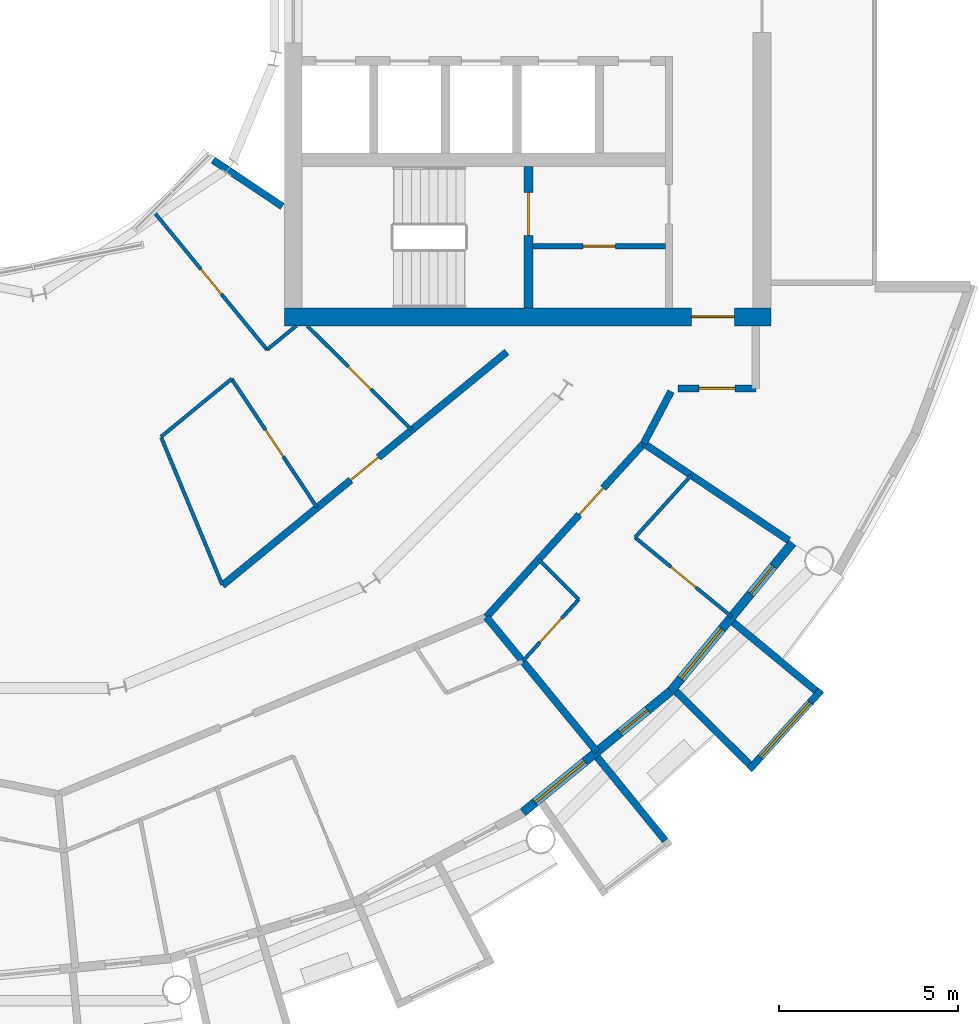
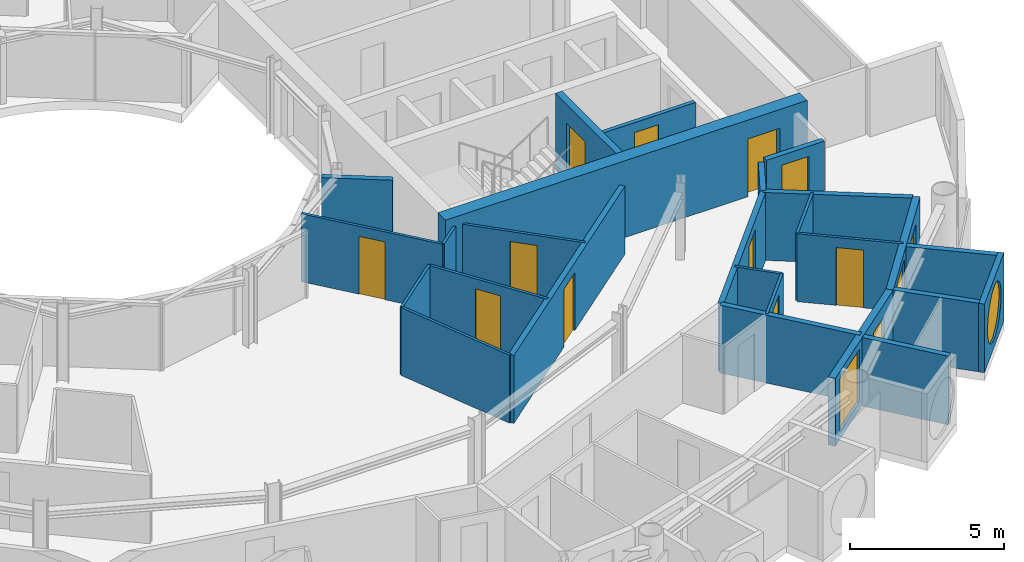
# One storey, part 17 of 27: 26 walls, 13 doors, 3 windows, 16 openings.
"""IFC4 building model written with IfcOpenShell, lengths in metres."""

from ifc_helpers import new_model, si_unit, direction, frame, frame_2d, origin, place, context, subcontext, project, spatial, rectangle, circle, extrude, material, layer, layer_set, type_object, element, fill, save


model = new_model("IFC4")

# Units and contexts
model_context = context("Model", 3, precision=1e-05, world=origin(), true_north=direction((0.0, 1.0)))
body_context = subcontext(model_context, "Body", "Model", "MODEL_VIEW")
ifc_project = project(units=[si_unit("LENGTHUNIT", "METRE"), si_unit("AREAUNIT", "SQUARE_METRE"), si_unit("VOLUMEUNIT", "CUBIC_METRE"), si_unit("PLANEANGLEUNIT", "RADIAN"), si_unit("MASSUNIT", "GRAM", prefix="KILO")], contexts=[model_context])

# Site, building, storey
site_placement = place(None, origin())
site = spatial("IfcSite", under=ifc_project, at=site_placement, CompositionType="ELEMENT")
building_placement = place(site_placement, origin())
building = spatial("IfcBuilding", under=site, at=building_placement, Name="Maasbend Ring Residences", CompositionType="ELEMENT")
storey_placement = place(building_placement, frame((0.0, 0.0, 148.25)))
storey = spatial("IfcBuildingStorey", under=building, at=storey_placement, Name="L42", CompositionType="ELEMENT", Elevation=148.25)

# Wall, opening, door
ifc_material_1 = material(Name="Concrete C60/75", Category="concrete")
ifc_layer_1 = layer(ifc_material_1, 0.25)
ifc_layer_set_1 = layer_set([ifc_layer_1], Name="Concrete C60/75")
wall_type_1 = type_object("IfcWallType", Name="CORE WALL 250 C60/75", PredefinedType="SHEAR", material=ifc_layer_set_1)
wall_1_placement = place(storey_placement, frame((15.324951171875, -8.60009765625, 0.0), z_axis=(0.0, 0.0, 1.0), x_axis=(0.0, 1.0, 0.0)))
wall_1 = element("IfcWall", 1, at=wall_1_placement, inside=storey, type_object=wall_type_1, Name="L42 core E wall STES", PredefinedType="SHEAR", context=body_context, shape_type="SweptSolid", body=[
    extrude(rectangle(XDim=3.9501953125, YDim=0.25, at=frame_2d((1.97509765625, 0.0))), origin(), (0.0, 0.0, 1.0), 3.050048828125),
])
opening_1_placement = place(wall_1_placement, frame((2.02490234375, 0.0, 0.0)))
opening_1 = element("IfcOpeningElement", 2, at=opening_1_placement, cuts=wall_1, Name="Opening D-E4211", PredefinedType="OPENING", context=body_context, shape_type="SweptSolid", body=[
    extrude(rectangle(XDim=1.199951171875, YDim=2.300048828125, at=frame_2d((0.60009765625, 1.14990234375))), frame((0.0, 0.135009765625, 0.0), z_axis=(0.0, -1.0, 0.0), x_axis=(1.0, 0.0, 0.0)), (0.0, 0.0, 1.0), 0.27001953125),
])
ifc_material_2 = material(Name="Steel, powder coated", Category="steel")
door_type_1 = type_object("IfcDoorType", Name="STAIR DOOR 1200 X 2300 FD60", OperationType="NOTDEFINED", PredefinedType="DOOR", material=ifc_material_2)
door_1_placement = place(opening_1_placement, origin())
door_1 = element("IfcDoor", 3, at=door_1_placement, inside=storey, type_object=door_type_1, Name="Stair door ST-E L42", OperationType="SINGLE_SWING_LEFT", OverallHeight=2.300048828125, OverallWidth=1.199951171875, PredefinedType="DOOR", context=body_context, shape_type="SweptSolid", body=[
    extrude(rectangle(XDim=1.199951171875, YDim=2.300048828125, at=frame_2d((0.60009765625, 1.14990234375))), frame((0.0, 0.02490234375, 0.0), z_axis=(0.0, -1.0, 0.0), x_axis=(1.0, 0.0, 0.0)), (0.0, 0.0, 1.0), 0.050048828125),
])
fill(opening_1, door_1)

ifc_material_3 = material(Name="Concrete C60/75", Category="concrete")
ifc_layer_2 = layer(ifc_material_3, 0.5)
ifc_layer_set_2 = layer_set([ifc_layer_2], Name="Concrete C60/75")
wall_type_2 = type_object("IfcWallType", Name="CORE WALL 500 C60/75", PredefinedType="SHEAR", material=ifc_layer_set_2)
wall_2_placement = place(storey_placement, frame((8.5, -8.85009765625, 0.0), z_axis=(0.0, 0.0, 1.0), x_axis=(1.0, 0.0, 0.0)))
wall_2 = element("IfcWall", 4, at=wall_2_placement, inside=storey, type_object=wall_type_2, Name="L42 core E wall PS", PredefinedType="SHEAR", context=body_context, shape_type="SweptSolid", body=[
    extrude(rectangle(XDim=13.60009765625, YDim=0.5, at=frame_2d((6.800048828125, 0.0))), origin(), (0.0, 0.0, 1.0), 3.050048828125),
])
opening_2_placement = place(wall_2_placement, frame((11.375, 0.0, 0.0)))
opening_2 = element("IfcOpeningElement", 5, at=opening_2_placement, cuts=wall_2, Name="Opening D-E4215", PredefinedType="OPENING", context=body_context, shape_type="SweptSolid", body=[
    extrude(rectangle(XDim=1.199951171875, YDim=2.300048828125, at=frame_2d((0.60009765625, 1.14990234375))), frame((0.0, 0.260009765625, 0.0), z_axis=(0.0, -1.0, 0.0), x_axis=(1.0, 0.0, 0.0)), (0.0, 0.0, 1.0), 0.52001953125),
])
ifc_material_4 = material(Name="Steel, powder coated", Category="steel")
door_type_2 = type_object("IfcDoorType", Name="CORRIDOR DOOR 1200 X 2300 FD30S", OperationType="NOTDEFINED", PredefinedType="DOOR", material=ifc_material_4)
door_2_placement = place(opening_2_placement, origin())
door_2 = element("IfcDoor", 6, at=door_2_placement, inside=storey, type_object=door_type_2, Name="Corridor door L42", OperationType="SINGLE_SWING_LEFT", OverallHeight=2.300048828125, OverallWidth=1.199951171875, PredefinedType="DOOR", context=body_context, shape_type="SweptSolid", body=[
    extrude(rectangle(XDim=1.199951171875, YDim=2.300048828125, at=frame_2d((0.60009765625, 1.14990234375))), frame((0.0, 0.02490234375, 0.0), z_axis=(0.0, -1.0, 0.0), x_axis=(1.0, 0.0, 0.0)), (0.0, 0.0, 1.0), 0.050048828125),
])
fill(opening_2, door_2)

# Wall
ifc_material_5 = material(Name="Concrete C30/37", Category="concrete")
ifc_layer_3 = layer(ifc_material_5, 0.199951171875)
ifc_layer_set_3 = layer_set([ifc_layer_3], Name="Concrete C30/37")
wall_type_3 = type_object("IfcWallType", Name="CORRIDOR WALL 200 CONCRETE", PredefinedType="PARTITIONING", material=ifc_layer_set_3)
wall_3_placement = place(storey_placement, frame((18.5419921875, -12.388916015625, 0.0), z_axis=(0.0, 0.0, 1.0), x_axis=(0.465605550524, 0.884992356646, 0.0)))
element("IfcWall", 7, at=wall_3_placement, inside=storey, type_object=wall_type_3, Name="U-L42-w010", PredefinedType="PARTITIONING", context=body_context, shape_type="SweptSolid", body=[
    extrude(rectangle(XDim=1.642822265625, YDim=0.199951171875, at=frame_2d((0.8212890625, 0.0))), origin(), (0.0, 0.0, 1.0), 2.699951171875),
])

# Wall, opening, door
wall_4_placement = place(storey_placement, frame((14.14697265625, -17.238037109375, 0.0), z_axis=(0.0, 0.0, 1.0), x_axis=(0.671561669125, 0.740948665268, 0.0)))
wall_4 = element("IfcWall", 8, at=wall_4_placement, inside=storey, type_object=wall_type_3, Name="U-L42-w011", PredefinedType="PARTITIONING", context=body_context, shape_type="SweptSolid", body=[
    extrude(rectangle(XDim=6.54443359375, YDim=0.199951171875, at=frame_2d((3.272216796875, 0.0))), origin(), (0.0, 0.0, 1.0), 2.699951171875),
])
opening_3_placement = place(wall_4_placement, frame((3.862060546875, 0.0, 0.0)))
opening_3 = element("IfcOpeningElement", 9, at=opening_3_placement, cuts=wall_4, Name="Opening D-4248", PredefinedType="OPENING", context=body_context, shape_type="SweptSolid", body=[
    extrude(rectangle(XDim=1.0, YDim=2.300048828125, at=frame_2d((0.5, 1.14990234375))), frame((0.0, 0.10986328125, 0.0), z_axis=(0.0, -1.0, 0.0), x_axis=(1.0, 0.0, 0.0)), (0.0, 0.0, 1.0), 0.219970703125),
])
ifc_material_6 = material(Name="Timber, fire-rated, painted", Category="wood")
door_type_3 = type_object("IfcDoorType", Name="FLAT ENTRANCE DOOR 1000 X 2300 FIRE-RATED", OperationType="NOTDEFINED", PredefinedType="DOOR", material=ifc_material_6)
door_3_placement = place(opening_3_placement, origin())
door_3 = element("IfcDoor", 10, at=door_3_placement, inside=storey, type_object=door_type_3, Name="D-4248", OperationType="SINGLE_SWING_RIGHT", OverallHeight=2.300048828125, OverallWidth=1.0, PredefinedType="DOOR", context=body_context, shape_type="SweptSolid", body=[
    extrude(rectangle(XDim=1.0, YDim=2.300048828125, at=frame_2d((0.5, 1.14990234375))), frame((0.0, 0.02490234375, 0.0), z_axis=(0.0, -1.0, 0.0), x_axis=(1.0, 0.0, 0.0)), (0.0, 0.0, 1.0), 0.050048828125),
])
fill(opening_3, door_3)

wall_5_placement = place(storey_placement, frame((6.77294921875, -16.35302734375, 0.0), z_axis=(0.0, 0.0, 1.0), x_axis=(0.773034536097, 0.634363938131, 0.0)))
wall_5 = element("IfcWall", 11, at=wall_5_placement, inside=storey, type_object=wall_type_3, Name="U-L42-w018", PredefinedType="PARTITIONING", context=body_context, shape_type="SweptSolid", body=[
    extrude(rectangle(XDim=10.276611328125, YDim=0.199951171875, at=frame_2d((5.13818359375, 0.0))), origin(), (0.0, 0.0, 1.0), 2.699951171875),
])
opening_4_placement = place(wall_5_placement, frame((4.637939453125, 0.0, 0.0)))
opening_4 = element("IfcOpeningElement", 12, at=opening_4_placement, cuts=wall_5, Name="Opening D-4255", PredefinedType="OPENING", context=body_context, shape_type="SweptSolid", body=[
    extrude(rectangle(XDim=1.0, YDim=2.300048828125, at=frame_2d((0.5, 1.14990234375))), frame((0.0, 0.10986328125, 0.0), z_axis=(0.0, -1.0, 0.0), x_axis=(1.0, 0.0, 0.0)), (0.0, 0.0, 1.0), 0.219970703125),
])
door_4_placement = place(opening_4_placement, origin())
door_4 = element("IfcDoor", 13, at=door_4_placement, inside=storey, type_object=door_type_3, Name="D-4255", OperationType="SINGLE_SWING_RIGHT", OverallHeight=2.300048828125, OverallWidth=1.0, PredefinedType="DOOR", context=body_context, shape_type="SweptSolid", body=[
    extrude(rectangle(XDim=1.0, YDim=2.300048828125, at=frame_2d((0.5, 1.14990234375))), frame((0.0, 0.02490234375, 0.0), z_axis=(0.0, -1.0, 0.0), x_axis=(1.0, 0.0, 0.0)), (0.0, 0.0, 1.0), 0.050048828125),
])
fill(opening_4, door_4)

wall_6_placement = place(storey_placement, frame((19.50390625, -10.85009765625, 0.0), z_axis=(0.0, 0.0, 1.0), x_axis=(1.0, 0.0, 0.0)))
wall_6 = element("IfcWall", 14, at=wall_6_placement, inside=storey, type_object=wall_type_3, Name="U-L42-w024", PredefinedType="PARTITIONING", context=body_context, shape_type="SweptSolid", body=[
    extrude(rectangle(XDim=2.171142578125, YDim=0.199951171875, at=frame_2d((1.08544921875, 0.0))), origin(), (0.0, 0.0, 1.0), 2.699951171875),
])
opening_5_placement = place(wall_6_placement, frame((0.5849609375, 0.0, 0.0)))
opening_5 = element("IfcOpeningElement", 15, at=opening_5_placement, cuts=wall_6, Name="Opening D-4261", PredefinedType="OPENING", context=body_context, shape_type="SweptSolid", body=[
    extrude(rectangle(XDim=1.0, YDim=2.300048828125, at=frame_2d((0.5, 1.14990234375))), frame((0.0, 0.10986328125, 0.0), z_axis=(0.0, -1.0, 0.0), x_axis=(1.0, 0.0, 0.0)), (0.0, 0.0, 1.0), 0.219970703125),
])
ifc_material_7 = material(Name="Timber, painted", Category="wood")
door_type_4 = type_object("IfcDoorType", Name="ROOM DOOR 1000 X 2300", OperationType="NOTDEFINED", PredefinedType="DOOR", material=ifc_material_7)
door_5_placement = place(opening_5_placement, origin())
door_5 = element("IfcDoor", 16, at=door_5_placement, inside=storey, type_object=door_type_4, Name="D-4261", OperationType="SINGLE_SWING_LEFT", OverallHeight=2.300048828125, OverallWidth=1.0, PredefinedType="DOOR", context=body_context, shape_type="SweptSolid", body=[
    extrude(rectangle(XDim=1.0, YDim=2.300048828125, at=frame_2d((0.5, 1.14990234375))), frame((0.0, 0.02490234375, 0.0), z_axis=(0.0, -1.0, 0.0), x_axis=(1.0, 0.0, 0.0)), (0.0, 0.0, 1.0), 0.050048828125),
])
fill(opening_5, door_5)

# Wall
ifc_material_8 = material(Name="Pale anodised aluminium panel", Category="aluminium")
ifc_layer_4 = layer(ifc_material_8, 0.199951171875)
ifc_layer_set_4 = layer_set([ifc_layer_4], Name="EW-BOX")
wall_type_4 = type_object("IfcWallType", Name="EW-BOX", PredefinedType="SOLIDWALL", material=ifc_layer_set_4)
wall_7_placement = place(storey_placement, frame((17.24609375, -21.155029296875, -0.030029296875), z_axis=(0.0, 0.0, 1.0), x_axis=(0.631741648902, -0.775179004516, 0.0)))
element("IfcWall", 17, at=wall_7_placement, inside=storey, type_object=wall_type_4, Name="Box side wall S17 right", PredefinedType="SOLIDWALL", context=body_context, shape_type="SweptSolid", body=[
    extrude(rectangle(XDim=3.005859375, YDim=0.199951171875, at=frame_2d((1.5029296875, 0.0))), origin(), (0.0, 0.0, 1.0), 2.72998046875),
])

# Wall, opening, window
wall_8_placement = place(storey_placement, frame((21.492919921875, -21.5, -0.030029296875), z_axis=(0.0, 0.0, 1.0), x_axis=(0.671506829416, 0.740998365753, 0.0)))
wall_8 = element("IfcWall", 18, at=wall_8_placement, inside=storey, type_object=wall_type_4, Name="Box front S19", PredefinedType="SOLIDWALL", context=body_context, shape_type="SweptSolid", body=[
    extrude(rectangle(XDim=2.9931640625, YDim=0.199951171875, at=frame_2d((1.49658203125, 0.0))), origin(), (0.0, 0.0, 1.0), 2.72998046875),
])
opening_6_placement = place(wall_8_placement, frame((0.45654296875, 0.0, 0.330078125)))
opening_6 = element("IfcOpeningElement", 19, at=opening_6_placement, cuts=wall_8, Name="Opening W-RD", PredefinedType="OPENING", context=body_context, shape_type="SweptSolid", body=[
    extrude(circle(Radius=1.0400390625, at=frame_2d((1.0400390625, 1.0400390625))), frame((0.0, 0.10986328125, 0.0), z_axis=(0.0, -1.0, 0.0), x_axis=(1.0, 0.0, 0.0)), (0.0, 0.0, 1.0), 0.219970703125),
])
ifc_material_9 = material(Name="Aluminium and clear glass", Category="aluminium")
window_type_1 = type_object("IfcWindowType", Name="W-RD", PartitioningType="SINGLE_PANEL", PredefinedType="WINDOW", material=ifc_material_9)
window_1_placement = place(opening_6_placement, origin())
window_1 = element("IfcWindow", 20, at=window_1_placement, inside=storey, type_object=window_type_1, Name="Round window S19", OverallHeight=2.080078125, OverallWidth=2.080078125, PartitioningType="SINGLE_PANEL", PredefinedType="WINDOW", context=body_context, shape_type="SweptSolid", body=[
    extrude(circle(Radius=1.0400390625, at=frame_2d((1.0400390625, 1.0400390625))), frame((0.0, 0.030029296875, 0.0), z_axis=(0.0, -1.0, 0.0), x_axis=(1.0, 0.0, 0.0)), (0.0, 0.0, 1.0), 0.06005859375),
])
fill(opening_6, window_1)

# Walls
wall_9_placement = place(storey_placement, frame((19.449951171875, -19.322998046875, -0.030029296875), z_axis=(0.0, 0.0, 1.0), x_axis=(0.709727076896, -0.704476739375, 0.0)))
element("IfcWall", 21, at=wall_9_placement, inside=storey, type_object=wall_type_4, Name="Box side wall S19 left", PredefinedType="SOLIDWALL", context=body_context, shape_type="SweptSolid", body=[
    extrude(rectangle(XDim=2.883056640625, YDim=0.199951171875, at=frame_2d((1.44140625, 0.0))), origin(), (0.0, 0.0, 1.0), 2.72998046875),
])
wall_10_placement = place(storey_placement, frame((21.041015625, -17.384033203125, -0.030029296875), z_axis=(0.0, 0.0, 1.0), x_axis=(0.770784861449, -0.63709551667, 0.0)))
element("IfcWall", 22, at=wall_10_placement, inside=storey, type_object=wall_type_4, Name="Box side wall S19 right", PredefinedType="SOLIDWALL", context=body_context, shape_type="SweptSolid", body=[
    extrude(rectangle(XDim=3.005859375, YDim=0.199951171875, at=frame_2d((1.5029296875, 0.0))), origin(), (0.0, 0.0, 1.0), 2.72998046875),
])

# Wall, openings, door, window
ifc_material_10 = material(Name="Aluminium clad insulated panel", Category="aluminium")
ifc_layer_5 = layer(ifc_material_10, 0.25)
ifc_layer_set_5 = layer_set([ifc_layer_5], Name="EW-GL")
wall_type_5 = type_object("IfcWallType", Name="EW-GL", PredefinedType="SOLIDWALL", material=ifc_layer_set_5)
wall_11_placement = place(storey_placement, frame((15.1669921875, -22.698974609375, 0.0), z_axis=(0.0, 0.0, 1.0), x_axis=(0.773019449054, 0.634382322723, 0.0)))
wall_11 = element("IfcWall", 23, at=wall_11_placement, inside=storey, type_object=wall_type_5, Name="External wall S09", PredefinedType="SOLIDWALL", context=body_context, shape_type="SweptSolid", body=[
    extrude(rectangle(XDim=5.351806640625, YDim=0.25, at=frame_2d((2.67578125, 0.0))), origin(), (0.0, 0.0, 1.0), 2.699951171875),
])
opening_7_placement = place(wall_11_placement, frame((0.441162109375, 0.0, 0.300048828125)))
opening_7 = element("IfcOpeningElement", 24, at=opening_7_placement, cuts=wall_11, Name="Opening W-BX", PredefinedType="OPENING", context=body_context, shape_type="SweptSolid", body=[
    extrude(rectangle(XDim=1.800048828125, YDim=2.10009765625, at=frame_2d((0.89990234375, 1.050048828125))), frame((0.0, 0.135009765625, 0.0), z_axis=(0.0, -1.0, 0.0), x_axis=(1.0, 0.0, 0.0)), (0.0, 0.0, 1.0), 0.27001953125),
])
opening_8_placement = place(wall_11_placement, frame((3.510498046875, 0.0, 0.0)))
opening_8 = element("IfcOpeningElement", 25, at=opening_8_placement, cuts=wall_11, Name="Opening D-LG", PredefinedType="OPENING", context=body_context, shape_type="SweptSolid", body=[
    extrude(rectangle(XDim=1.0, YDim=2.199951171875, at=frame_2d((0.5, 1.10009765625))), frame((0.0, 0.135009765625, 0.0), z_axis=(0.0, -1.0, 0.0), x_axis=(1.0, 0.0, 0.0)), (0.0, 0.0, 1.0), 0.27001953125),
])
ifc_material_11 = material(Name="Aluminium and clear glass", Category="aluminium")
door_type_5 = type_object("IfcDoorType", Name="D-LG", OperationType="SINGLE_SWING_LEFT", PredefinedType="DOOR", material=ifc_material_11)
door_6_placement = place(opening_8_placement, origin())
door_6 = element("IfcDoor", 26, at=door_6_placement, inside=storey, type_object=door_type_5, Name="Loggia door S18", OperationType="SINGLE_SWING_LEFT", OverallHeight=2.199951171875, OverallWidth=1.0, PredefinedType="DOOR", context=body_context, shape_type="SweptSolid", body=[
    extrude(rectangle(XDim=1.0, YDim=2.199951171875, at=frame_2d((0.5, 1.10009765625))), frame((0.0, 0.02490234375, 0.0), z_axis=(0.0, -1.0, 0.0), x_axis=(1.0, 0.0, 0.0)), (0.0, 0.0, 1.0), 0.050048828125),
])
fill(opening_8, door_6)
ifc_material_12 = material(Name="Aluminium and clear glass", Category="aluminium")
window_type_2 = type_object("IfcWindowType", Name="W-BX", PartitioningType="DOUBLE_PANEL_VERTICAL", PredefinedType="WINDOW", material=ifc_material_12)
window_2_placement = place(opening_7_placement, origin())
window_2 = element("IfcWindow", 27, at=window_2_placement, inside=storey, type_object=window_type_2, Name="Window S17 room to box", OverallHeight=2.10009765625, OverallWidth=1.800048828125, PartitioningType="SINGLE_PANEL", PredefinedType="WINDOW", context=body_context, shape_type="SweptSolid", body=[
    extrude(rectangle(XDim=1.800048828125, YDim=2.10009765625, at=frame_2d((0.89990234375, 1.050048828125))), frame((0.0, 0.030029296875, 0.0), z_axis=(0.0, -1.0, 0.0), x_axis=(1.0, 0.0, 0.0)), (0.0, 0.0, 1.0), 0.06005859375),
])
fill(opening_7, window_2)

wall_12_placement = place(storey_placement, frame((19.303955078125, -19.303955078125, 0.0), z_axis=(0.0, 0.0, 1.0), x_axis=(0.634382322723, 0.773019449054, 0.0)))
wall_12 = element("IfcWall", 28, at=wall_12_placement, inside=storey, type_object=wall_type_5, Name="External wall S10", PredefinedType="SOLIDWALL", context=body_context, shape_type="SweptSolid", body=[
    extrude(rectangle(XDim=5.351806640625, YDim=0.25, at=frame_2d((2.67578125, 0.0))), origin(), (0.0, 0.0, 1.0), 2.699951171875),
])
opening_9_placement = place(wall_12_placement, frame((0.441162109375, 0.0, 0.300048828125)))
opening_9 = element("IfcOpeningElement", 29, at=opening_9_placement, cuts=wall_12, Name="Opening W-BX", PredefinedType="OPENING", context=body_context, shape_type="SweptSolid", body=[
    extrude(rectangle(XDim=1.800048828125, YDim=2.10009765625, at=frame_2d((0.89990234375, 1.050048828125))), frame((0.0, 0.135009765625, 0.0), z_axis=(0.0, -1.0, 0.0), x_axis=(1.0, 0.0, 0.0)), (0.0, 0.0, 1.0), 0.27001953125),
])
opening_10_placement = place(wall_12_placement, frame((3.510498046875, 0.0, 0.0)))
opening_10 = element("IfcOpeningElement", 30, at=opening_10_placement, cuts=wall_12, Name="Opening D-LG", PredefinedType="OPENING", context=body_context, shape_type="SweptSolid", body=[
    extrude(rectangle(XDim=1.0, YDim=2.199951171875, at=frame_2d((0.5, 1.10009765625))), frame((0.0, 0.135009765625, 0.0), z_axis=(0.0, -1.0, 0.0), x_axis=(1.0, 0.0, 0.0)), (0.0, 0.0, 1.0), 0.27001953125),
])
door_7_placement = place(opening_10_placement, origin())
door_7 = element("IfcDoor", 31, at=door_7_placement, inside=storey, type_object=door_type_5, Name="Loggia door S20", OperationType="SINGLE_SWING_LEFT", OverallHeight=2.199951171875, OverallWidth=1.0, PredefinedType="DOOR", context=body_context, shape_type="SweptSolid", body=[
    extrude(rectangle(XDim=1.0, YDim=2.199951171875, at=frame_2d((0.5, 1.10009765625))), frame((0.0, 0.02490234375, 0.0), z_axis=(0.0, -1.0, 0.0), x_axis=(1.0, 0.0, 0.0)), (0.0, 0.0, 1.0), 0.050048828125),
])
fill(opening_10, door_7)
window_3_placement = place(opening_9_placement, origin())
window_3 = element("IfcWindow", 32, at=window_3_placement, inside=storey, type_object=window_type_2, Name="Window S19 room to box", OverallHeight=2.10009765625, OverallWidth=1.800048828125, PartitioningType="SINGLE_PANEL", PredefinedType="WINDOW", context=body_context, shape_type="SweptSolid", body=[
    extrude(rectangle(XDim=1.800048828125, YDim=2.10009765625, at=frame_2d((0.89990234375, 1.050048828125))), frame((0.0, 0.030029296875, 0.0), z_axis=(0.0, -1.0, 0.0), x_axis=(1.0, 0.0, 0.0)), (0.0, 0.0, 1.0), 0.06005859375),
])
fill(opening_9, window_3)

# Wall, opening, door
ifc_material_13 = material(Name="Gypsum board on steel studs", Category="steel")
ifc_layer_6 = layer(ifc_material_13, 0.10009765625)
ifc_layer_set_6 = layer_set([ifc_layer_6], Name="PARTITION 100 GYPSUM")
wall_type_6 = type_object("IfcWallType", Name="PARTITION 100 GYPSUM", PredefinedType="PARTITIONING", material=ifc_layer_set_6)
wall_13_placement = place(storey_placement, frame((15.162109375, -18.47509765625, 0.0), z_axis=(0.0, 0.0, 1.0), x_axis=(0.671528384412, 0.740978831634, 0.0)))
wall_13 = element("IfcWall", 33, at=wall_13_placement, inside=storey, type_object=wall_type_6, Name="U-L42-w001", PredefinedType="PARTITIONING", context=body_context, shape_type="SweptSolid", body=[
    extrude(rectangle(XDim=2.337646484375, YDim=0.10009765625, at=frame_2d((1.1689453125, 0.0))), origin(), (0.0, 0.0, 1.0), 2.699951171875),
])
opening_11_placement = place(wall_13_placement, frame((0.718994140625, 0.0, 0.0)))
opening_11 = element("IfcOpeningElement", 34, at=opening_11_placement, cuts=wall_13, Name="Opening D-4249", PredefinedType="OPENING", context=body_context, shape_type="SweptSolid", body=[
    extrude(rectangle(XDim=0.89990234375, YDim=2.300048828125, at=frame_2d((0.449951171875, 1.14990234375))), frame((0.0, 0.06005859375, 0.0), z_axis=(0.0, -1.0, 0.0), x_axis=(1.0, 0.0, 0.0)), (0.0, 0.0, 1.0), 0.1201171875),
])
ifc_material_14 = material(Name="Timber, painted", Category="wood")
door_type_6 = type_object("IfcDoorType", Name="INTERNAL DOOR 900 X 2300", OperationType="NOTDEFINED", PredefinedType="DOOR", material=ifc_material_14)
door_8_placement = place(opening_11_placement, origin())
door_8 = element("IfcDoor", 35, at=door_8_placement, inside=storey, type_object=door_type_6, Name="D-4249", OperationType="SINGLE_SWING_LEFT", OverallHeight=2.300048828125, OverallWidth=0.89990234375, PredefinedType="DOOR", context=body_context, shape_type="SweptSolid", body=[
    extrude(rectangle(XDim=0.89990234375, YDim=2.300048828125, at=frame_2d((0.449951171875, 1.14990234375))), frame((0.0, 0.02490234375, 0.0), z_axis=(0.0, -1.0, 0.0), x_axis=(1.0, 0.0, 0.0)), (0.0, 0.0, 1.0), 0.050048828125),
])
fill(opening_11, door_8)

# Walls
wall_14_placement = place(storey_placement, frame((18.302001953125, -15.010009765625, 0.0), z_axis=(0.0, 0.0, 1.0), x_axis=(0.671637685376, 0.740879760544, 0.0)))
element("IfcWall", 36, at=wall_14_placement, inside=storey, type_object=wall_type_6, Name="U-L42-w002", PredefinedType="PARTITIONING", context=body_context, shape_type="SweptSolid", body=[
    extrude(rectangle(XDim=2.337646484375, YDim=0.10009765625, at=frame_2d((1.1689453125, 0.0))), origin(), (0.0, 0.0, 1.0), 2.699951171875),
])
wall_15_placement = place(storey_placement, frame((5.054931640625, -12.2041015625, 0.0), z_axis=(0.0, 0.0, 1.0), x_axis=(0.772943675046, 0.634474645046, 0.0)))
element("IfcWall", 37, at=wall_15_placement, inside=storey, type_object=wall_type_6, Name="U-L42-w021", PredefinedType="PARTITIONING", context=body_context, shape_type="SweptSolid", body=[
    extrude(rectangle(XDim=2.556640625, YDim=0.10009765625, at=frame_2d((1.2783203125, 0.0))), origin(), (0.0, 0.0, 1.0), 2.699951171875),
])
wall_16_placement = place(storey_placement, frame((8.01611328125, -9.77294921875, 0.0), z_axis=(0.0, 0.0, 1.0), x_axis=(0.7731800648, 0.634186555673, 0.0)))
element("IfcWall", 38, at=wall_16_placement, inside=storey, type_object=wall_type_6, Name="U-L42-w022", PredefinedType="PARTITIONING", context=body_context, shape_type="SweptSolid", body=[
    extrude(rectangle(XDim=1.064453125, YDim=0.10009765625, at=frame_2d((0.5322265625, 0.0))), origin(), (0.0, 0.0, 1.0), 2.699951171875),
])

# Wall, opening, door
wall_17_placement = place(storey_placement, frame((4.89794921875, -5.968017578125, 0.0), z_axis=(0.0, 0.0, 1.0), x_axis=(0.634401778971, -0.773003481776, 0.0)))
wall_17 = element("IfcWall", 39, at=wall_17_placement, inside=storey, type_object=wall_type_6, Name="U-L42-w065", PredefinedType="PARTITIONING", context=body_context, shape_type="SweptSolid", body=[
    extrude(rectangle(XDim=4.919677734375, YDim=0.10009765625, at=frame_2d((2.4599609375, 0.0))), origin(), (0.0, 0.0, 1.0), 2.699951171875),
])
opening_12_placement = place(wall_17_placement, frame((2.010009765625, 0.0, 0.0)))
opening_12 = element("IfcOpeningElement", 40, at=opening_12_placement, cuts=wall_17, Name="Opening D-4258", PredefinedType="OPENING", context=body_context, shape_type="SweptSolid", body=[
    extrude(rectangle(XDim=0.89990234375, YDim=2.300048828125, at=frame_2d((0.449951171875, 1.14990234375))), frame((0.0, 0.06005859375, 0.0), z_axis=(0.0, -1.0, 0.0), x_axis=(1.0, 0.0, 0.0)), (0.0, 0.0, 1.0), 0.1201171875),
])
door_9_placement = place(opening_12_placement, origin())
door_9 = element("IfcDoor", 41, at=door_9_placement, inside=storey, type_object=door_type_6, Name="D-4258", OperationType="SINGLE_SWING_RIGHT", OverallHeight=2.300048828125, OverallWidth=0.89990234375, PredefinedType="DOOR", context=body_context, shape_type="SweptSolid", body=[
    extrude(rectangle(XDim=0.89990234375, YDim=2.300048828125, at=frame_2d((0.449951171875, 1.14990234375))), frame((0.0, 0.02490234375, 0.0), z_axis=(0.0, -1.0, 0.0), x_axis=(1.0, 0.0, 0.0)), (0.0, 0.0, 1.0), 0.050048828125),
])
fill(opening_12, door_9)

wall_18_placement = place(storey_placement, frame((7.028076171875, -10.583984375, 0.0), z_axis=(0.0, 0.0, 1.0), x_axis=(0.553303732327, -0.832979579457, 0.0)))
wall_18 = element("IfcWall", 42, at=wall_18_placement, inside=storey, type_object=wall_type_6, Name="U-L42-w069", PredefinedType="PARTITIONING", context=body_context, shape_type="SweptSolid", body=[
    extrude(rectangle(XDim=4.3193359375, YDim=0.10009765625, at=frame_2d((2.15966796875, 0.0))), origin(), (0.0, 0.0, 1.0), 2.699951171875),
])
opening_13_placement = place(wall_18_placement, frame((1.7099609375, 0.0, 0.0)))
opening_13 = element("IfcOpeningElement", 43, at=opening_13_placement, cuts=wall_18, Name="Opening D-4256", PredefinedType="OPENING", context=body_context, shape_type="SweptSolid", body=[
    extrude(rectangle(XDim=0.89990234375, YDim=2.300048828125, at=frame_2d((0.449951171875, 1.14990234375))), frame((0.0, 0.06005859375, 0.0), z_axis=(0.0, -1.0, 0.0), x_axis=(1.0, 0.0, 0.0)), (0.0, 0.0, 1.0), 0.1201171875),
])
door_10_placement = place(opening_13_placement, origin())
door_10 = element("IfcDoor", 44, at=door_10_placement, inside=storey, type_object=door_type_6, Name="D-4256", OperationType="SINGLE_SWING_LEFT", OverallHeight=2.300048828125, OverallWidth=0.89990234375, PredefinedType="DOOR", context=body_context, shape_type="SweptSolid", body=[
    extrude(rectangle(XDim=0.89990234375, YDim=2.300048828125, at=frame_2d((0.449951171875, 1.14990234375))), frame((0.0, 0.02490234375, 0.0), z_axis=(0.0, -1.0, 0.0), x_axis=(1.0, 0.0, 0.0)), (0.0, 0.0, 1.0), 0.050048828125),
])
fill(opening_13, door_10)

wall_19_placement = place(storey_placement, frame((9.14404296875, -9.10400390625, 0.0), z_axis=(0.0, 0.0, 1.0), x_axis=(0.708793214553, -0.705416316088, 0.0)))
wall_19 = element("IfcWall", 45, at=wall_19_placement, inside=storey, type_object=wall_type_6, Name="U-L42-w072", PredefinedType="PARTITIONING", context=body_context, shape_type="SweptSolid", body=[
    extrude(rectangle(XDim=4.120849609375, YDim=0.10009765625, at=frame_2d((2.060546875, 0.0))), origin(), (0.0, 0.0, 1.0), 2.699951171875),
])
opening_14_placement = place(wall_19_placement, frame((1.611083984375, 0.0, 0.0)))
opening_14 = element("IfcOpeningElement", 46, at=opening_14_placement, cuts=wall_19, Name="Opening D-4257", PredefinedType="OPENING", context=body_context, shape_type="SweptSolid", body=[
    extrude(rectangle(XDim=0.89990234375, YDim=2.300048828125, at=frame_2d((0.449951171875, 1.14990234375))), frame((0.0, 0.06005859375, 0.0), z_axis=(0.0, -1.0, 0.0), x_axis=(1.0, 0.0, 0.0)), (0.0, 0.0, 1.0), 0.1201171875),
])
door_11_placement = place(opening_14_placement, origin())
door_11 = element("IfcDoor", 47, at=door_11_placement, inside=storey, type_object=door_type_6, Name="D-4257", OperationType="SINGLE_SWING_RIGHT", OverallHeight=2.300048828125, OverallWidth=0.89990234375, PredefinedType="DOOR", context=body_context, shape_type="SweptSolid", body=[
    extrude(rectangle(XDim=0.89990234375, YDim=2.300048828125, at=frame_2d((0.449951171875, 1.14990234375))), frame((0.0, 0.02490234375, 0.0), z_axis=(0.0, -1.0, 0.0), x_axis=(1.0, 0.0, 0.0)), (0.0, 0.0, 1.0), 0.050048828125),
])
fill(opening_14, door_11)

# Wall
wall_20_placement = place(storey_placement, frame((15.60791015625, -15.6259765625, 0.0), z_axis=(0.0, 0.0, 1.0), x_axis=(0.70679860656, -0.707414821561, 0.0)))
element("IfcWall", 48, at=wall_20_placement, inside=storey, type_object=wall_type_6, Name="U-L42-w077", PredefinedType="PARTITIONING", context=body_context, shape_type="SweptSolid", body=[
    extrude(rectangle(XDim=1.584716796875, YDim=0.10009765625, at=frame_2d((0.79248046875, 0.0))), origin(), (0.0, 0.0, 1.0), 2.699951171875),
])

# Wall, opening, door
wall_21_placement = place(storey_placement, frame((18.299072265625, -15.013916015625, 0.0), z_axis=(0.0, 0.0, 1.0), x_axis=(0.773131168403, -0.634246163917, 0.0)))
wall_21 = element("IfcWall", 49, at=wall_21_placement, inside=storey, type_object=wall_type_6, Name="U-L42-w079", PredefinedType="PARTITIONING", context=body_context, shape_type="SweptSolid", body=[
    extrude(rectangle(XDim=3.505126953125, YDim=0.10009765625, at=frame_2d((1.75244140625, 0.0))), origin(), (0.0, 0.0, 1.0), 2.699951171875),
])
opening_15_placement = place(wall_21_placement, frame((1.302001953125, 0.0, 0.0)))
opening_15 = element("IfcOpeningElement", 50, at=opening_15_placement, cuts=wall_21, Name="Opening D-4250", PredefinedType="OPENING", context=body_context, shape_type="SweptSolid", body=[
    extrude(rectangle(XDim=0.89990234375, YDim=2.300048828125, at=frame_2d((0.449951171875, 1.14990234375))), frame((0.0, 0.06005859375, 0.0), z_axis=(0.0, -1.0, 0.0), x_axis=(1.0, 0.0, 0.0)), (0.0, 0.0, 1.0), 0.1201171875),
])
door_12_placement = place(opening_15_placement, origin())
door_12 = element("IfcDoor", 51, at=door_12_placement, inside=storey, type_object=door_type_6, Name="D-4250", OperationType="SINGLE_SWING_LEFT", OverallHeight=2.300048828125, OverallWidth=0.89990234375, PredefinedType="DOOR", context=body_context, shape_type="SweptSolid", body=[
    extrude(rectangle(XDim=0.89990234375, YDim=2.300048828125, at=frame_2d((0.449951171875, 1.14990234375))), frame((0.0, 0.02490234375, 0.0), z_axis=(0.0, -1.0, 0.0), x_axis=(1.0, 0.0, 0.0)), (0.0, 0.0, 1.0), 0.050048828125),
])
fill(opening_15, door_12)

# Wall
wall_22_placement = place(storey_placement, frame((6.764892578125, -16.333984375, 0.0), z_axis=(0.0, 0.0, 1.0), x_axis=(-0.382498794932, 0.923955990226, 0.0)))
element("IfcWall", 52, at=wall_22_placement, inside=storey, type_object=wall_type_6, Name="U-L42-w120", PredefinedType="PARTITIONING", context=body_context, shape_type="SweptSolid", body=[
    extrude(rectangle(XDim=4.449462890625, YDim=0.10009765625, at=frame_2d((2.224609375, 0.0))), origin(), (0.0, 0.0, 1.0), 2.699951171875),
])

# Wall, opening, door
ifc_material_15 = material(Name="Gypsum board on steel studs", Category="steel")
ifc_layer_7 = layer(ifc_material_15, 0.14990234375)
ifc_layer_set_7 = layer_set([ifc_layer_7], Name="PARTITION 150 EI 60")
wall_type_7 = type_object("IfcWallType", Name="PARTITION 150 EI 60", PredefinedType="PARTITIONING", material=ifc_layer_set_7)
wall_23_placement = place(storey_placement, frame((15.449951171875, -6.875, 0.0), z_axis=(0.0, 0.0, 1.0), x_axis=(1.0, 0.0, 0.0)))
wall_23 = element("IfcWall", 53, at=wall_23_placement, inside=storey, type_object=wall_type_7, Name="L42 core E wall RHS", PredefinedType="PARTITIONING", context=body_context, shape_type="SweptSolid", body=[
    extrude(rectangle(XDim=3.699951171875, YDim=0.14990234375, at=frame_2d((1.85009765625, 0.0))), origin(), (0.0, 0.0, 1.0), 2.699951171875),
])
opening_16_placement = place(wall_23_placement, frame((1.39990234375, 0.0, 0.0)))
opening_16 = element("IfcOpeningElement", 54, at=opening_16_placement, cuts=wall_23, Name="Opening D-E4209", PredefinedType="OPENING", context=body_context, shape_type="SweptSolid", body=[
    extrude(rectangle(XDim=0.89990234375, YDim=2.300048828125, at=frame_2d((0.449951171875, 1.14990234375))), frame((0.0, 0.0849609375, 0.0), z_axis=(0.0, -1.0, 0.0), x_axis=(1.0, 0.0, 0.0)), (0.0, 0.0, 1.0), 0.169921875),
])
ifc_material_16 = material(Name="Steel, powder coated", Category="steel")
door_type_7 = type_object("IfcDoorType", Name="RISER DOOR 900 X 2300 FD60", OperationType="NOTDEFINED", PredefinedType="DOOR", material=ifc_material_16)
door_13_placement = place(opening_16_placement, origin())
door_13 = element("IfcDoor", 55, at=door_13_placement, inside=storey, type_object=door_type_7, Name="Riser door L42", OperationType="SINGLE_SWING_LEFT", OverallHeight=2.300048828125, OverallWidth=0.89990234375, PredefinedType="DOOR", context=body_context, shape_type="SweptSolid", body=[
    extrude(rectangle(XDim=0.89990234375, YDim=2.300048828125, at=frame_2d((0.449951171875, 1.14990234375))), frame((0.0, 0.02490234375, 0.0), z_axis=(0.0, -1.0, 0.0), x_axis=(1.0, 0.0, 0.0)), (0.0, 0.0, 1.0), 0.050048828125),
])
fill(opening_16, door_13)

# Walls
ifc_material_17 = material(Name="Concrete C30/37", Category="concrete")
ifc_layer_8 = layer(ifc_material_17, 0.199951171875)
ifc_layer_set_8 = layer_set([ifc_layer_8], Name="Concrete C30/37")
wall_type_8 = type_object("IfcWallType", Name="PARTY WALL 200 CONCRETE", PredefinedType="PARTITIONING", material=ifc_layer_set_8)
wall_24_placement = place(storey_placement, frame((6.512939453125, -4.471923828125, 0.0), z_axis=(0.0, 0.0, 1.0), x_axis=(0.83133816625, -0.555766905579, 0.0)))
element("IfcWall", 56, at=wall_24_placement, inside=storey, type_object=wall_type_8, Name="U-L42-w026", PredefinedType="PARTITIONING", context=body_context, shape_type="SweptSolid", body=[
    extrude(rectangle(XDim=2.322998046875, YDim=0.199951171875, at=frame_2d((1.16162109375, 0.0))), origin(), (0.0, 0.0, 1.0), 2.699951171875),
])
wall_25_placement = place(storey_placement, frame((14.14697265625, -17.238037109375, 0.0), z_axis=(0.0, 0.0, 1.0), x_axis=(0.634374159378, -0.773026148273, 0.0)))
element("IfcWall", 57, at=wall_25_placement, inside=storey, type_object=wall_type_8, Name="U-L42-w075", PredefinedType="PARTITIONING", context=body_context, shape_type="SweptSolid", body=[
    extrude(rectangle(XDim=4.875732421875, YDim=0.199951171875, at=frame_2d((2.43798828125, 0.0))), origin(), (0.0, 0.0, 1.0), 2.699951171875),
])
wall_26_placement = place(storey_placement, frame((18.5419921875, -12.388916015625, 0.0), z_axis=(0.0, 0.0, 1.0), x_axis=(0.831387096605, -0.55569370664, 0.0)))
element("IfcWall", 58, at=wall_26_placement, inside=storey, type_object=wall_type_8, Name="U-L42-w081", PredefinedType="PARTITIONING", context=body_context, shape_type="SweptSolid", body=[
    extrude(rectangle(XDim=4.875, YDim=0.199951171875, at=frame_2d((2.4375, 0.0))), origin(), (0.0, 0.0, 1.0), 2.699951171875),
])

save(model, "model.ifc")
